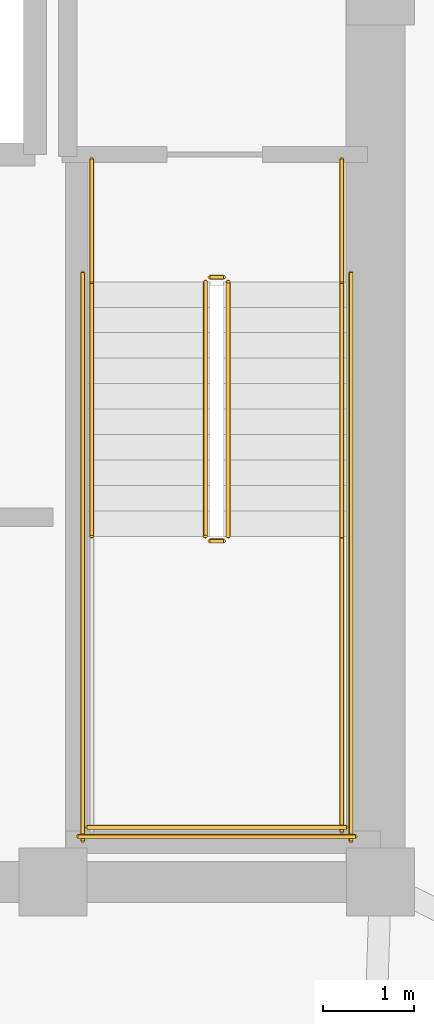
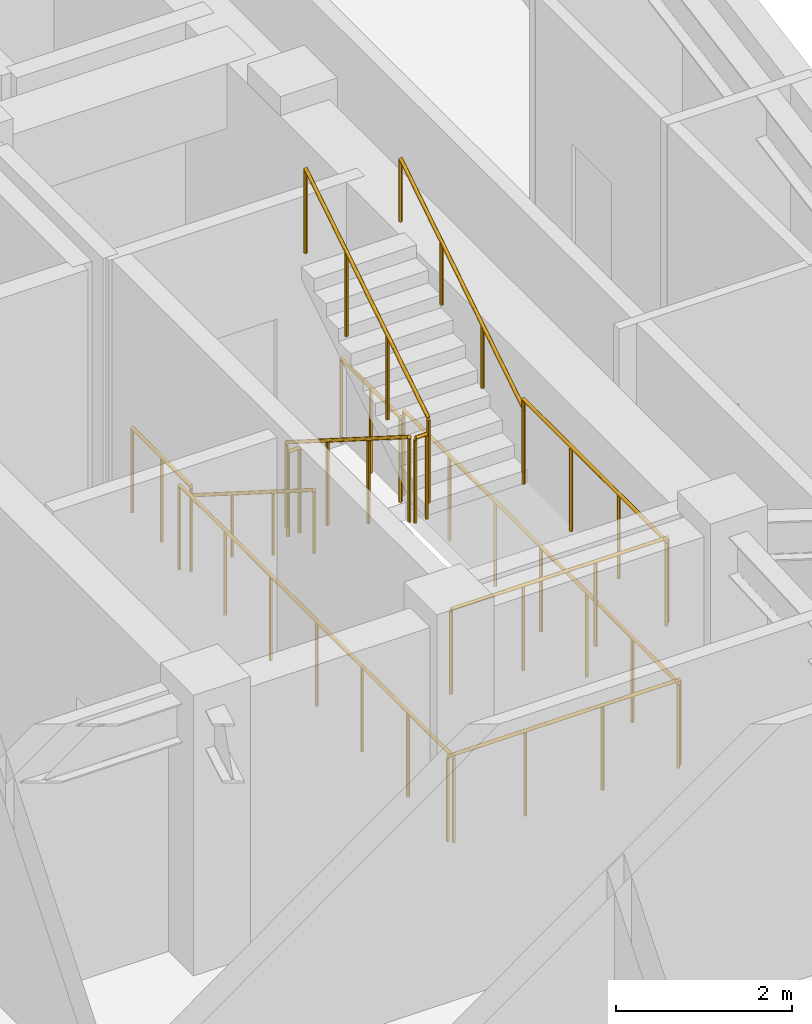
# One storey, part 11 of 11: 13 railings.
"""IFC4 building model written with IfcOpenShell, lengths in metres."""

from ifc_helpers import new_model, si_unit, direction, frame, origin, origin_2d, place, context, subcontext, project, spatial, circle, extrude, material, type_object, element, save


model = new_model("IFC4")

# Units and contexts
model_context = context("Model", 3, precision=1e-05, world=origin(), true_north=direction((0.0, 1.0)))
body_context = subcontext(model_context, "Body", "Model", "MODEL_VIEW")
ifc_project = project(units=[si_unit("LENGTHUNIT", "METRE"), si_unit("AREAUNIT", "SQUARE_METRE"), si_unit("VOLUMEUNIT", "CUBIC_METRE"), si_unit("PLANEANGLEUNIT", "RADIAN"), si_unit("MASSUNIT", "GRAM", prefix="KILO")], contexts=[model_context])

# Site, building, storey
site_placement = place(None, origin())
site = spatial("IfcSite", under=ifc_project, at=site_placement, CompositionType="ELEMENT")
building_placement = place(site_placement, origin())
building = spatial("IfcBuilding", under=site, at=building_placement, Name="Voryun Gate Residences", CompositionType="ELEMENT")
storey_placement = place(building_placement, frame((0.0, 0.0, 287.300048828125)))
storey = spatial("IfcBuildingStorey", under=building, at=storey_placement, Name="L71", CompositionType="ELEMENT", Elevation=287.300048828125)

# Railings
ifc_material_1 = material(Name="Painted steel", Category="steel")
railing_type_1 = type_object("IfcRailingType", Name="RAIL_STAIR_GUARD_1200", PredefinedType="GUARDRAIL", material=ifc_material_1)
railing_1_placement = place(storey_placement, frame((17.27490234375, -0.800048828125, 0.17724609375)))
element("IfcRailing", 1, at=railing_1_placement, inside=storey, type_object=railing_type_1, Name="L71 ST-E1 stair guard 1", PredefinedType="GUARDRAIL", context=body_context, shape_type="SweptSolid", body=[
    extrude(circle(Radius=0.02392578125, at=origin_2d()), frame((0.0, 0.0, 1.17578125), z_axis=(0.0, -0.844908973607, 0.534910110503), x_axis=(1.0, 0.0, 0.0)), (0.0, 0.0, 1.0), 3.31396484375),
    extrude(circle(Radius=0.02099609375, at=origin_2d()), origin(), (0.0, 0.0, 1.0), 1.15185546875),
    extrude(circle(Radius=0.02099609375, at=origin_2d()), frame((0.0, -0.933349609375, 0.5908203125)), (0.0, 0.0, 1.0), 1.15185546875),
    extrude(circle(Radius=0.02099609375, at=origin_2d()), frame((0.0, -1.86669921875, 1.181884765625)), (0.0, 0.0, 1.0), 1.15185546875),
    extrude(circle(Radius=0.02099609375, at=origin_2d()), frame((0.0, -2.800048828125, 1.772705078125)), (0.0, 0.0, 1.0), 1.15185546875),
])
railing_2_placement = place(storey_placement, frame((17.324951171875, -3.64990234375, 1.949951171875)))
element("IfcRailing", 2, at=railing_2_placement, inside=storey, type_object=railing_type_1, Name="L71 ST-E1 stair guard 2", PredefinedType="GUARDRAIL", context=body_context, shape_type="SweptSolid", body=[
    extrude(circle(Radius=0.02392578125, at=origin_2d()), frame((0.0, 0.0, 1.17578125), z_axis=(1.0, 0.0, 0.0), x_axis=(0.0, 1.0, 0.0)), (0.0, 0.0, 1.0), 0.150146484375),
    extrude(circle(Radius=0.02099609375, at=origin_2d()), origin(), (0.0, 0.0, 1.0), 1.15185546875),
    extrude(circle(Radius=0.02099609375, at=origin_2d()), frame((0.150146484375, 0.0, 0.0)), (0.0, 0.0, 1.0), 1.15185546875),
])
railing_3_placement = place(storey_placement, frame((18.77490234375, -3.60009765625, 1.949951171875)))
element("IfcRailing", 3, at=railing_3_placement, inside=storey, type_object=railing_type_1, Name="L71 ST-E1 stair guard 4", PredefinedType="GUARDRAIL", context=body_context, shape_type="SweptSolid", body=[
    extrude(circle(Radius=0.02392578125, at=origin_2d()), frame((0.0, 0.0, 1.17578125), z_axis=(0.0, -1.0, 0.0), x_axis=(1.0, 0.0, 0.0)), (0.0, 0.0, 1.0), 3.25),
    extrude(circle(Radius=0.02099609375, at=origin_2d()), origin(), (0.0, 0.0, 1.0), 1.15185546875),
    extrude(circle(Radius=0.02099609375, at=origin_2d()), frame((0.0, -1.083251953125, 0.0)), (0.0, 0.0, 1.0), 1.15185546875),
    extrude(circle(Radius=0.02099609375, at=origin_2d()), frame((0.0, -2.166748046875, 0.0)), (0.0, 0.0, 1.0), 1.15185546875),
    extrude(circle(Radius=0.02099609375, at=origin_2d()), frame((0.0, -3.25, 0.0)), (0.0, 0.0, 1.0), 1.15185546875),
])
railing_4_placement = place(storey_placement, frame((15.97509765625, -6.800048828125, 1.949951171875)))
element("IfcRailing", 4, at=railing_4_placement, inside=storey, type_object=railing_type_1, Name="L71 ST-E1 stair guard 5", PredefinedType="GUARDRAIL", context=body_context, shape_type="SweptSolid", body=[
    extrude(circle(Radius=0.02392578125, at=origin_2d()), frame((0.0, 0.0, 1.17578125), z_axis=(1.0, 0.0, 0.0), x_axis=(0.0, 1.0, 0.0)), (0.0, 0.0, 1.0), 2.849853515625),
    extrude(circle(Radius=0.02099609375, at=origin_2d()), origin(), (0.0, 0.0, 1.0), 1.15185546875),
    extrude(circle(Radius=0.02099609375, at=origin_2d()), frame((0.949951171875, 0.0, 0.0)), (0.0, 0.0, 1.0), 1.15185546875),
    extrude(circle(Radius=0.02099609375, at=origin_2d()), frame((1.89990234375, 0.0, 0.0)), (0.0, 0.0, 1.0), 1.15185546875),
    extrude(circle(Radius=0.02099609375, at=origin_2d()), frame((2.849853515625, 0.0, 0.0)), (0.0, 0.0, 1.0), 1.15185546875),
])
railing_5_placement = place(storey_placement, frame((17.52490234375, -3.60009765625, 2.127197265625)))
element("IfcRailing", 5, at=railing_5_placement, inside=storey, type_object=railing_type_1, Name="L71 ST-E1 stair guard 6", PredefinedType="GUARDRAIL", context=body_context, shape_type="SweptSolid", body=[
    extrude(circle(Radius=0.02392578125, at=origin_2d()), frame((0.0, 0.0, 1.17578125), z_axis=(0.0, 0.844908973607, 0.534910110503), x_axis=(-1.0, 0.0, 0.0)), (0.0, 0.0, 1.0), 3.31396484375),
    extrude(circle(Radius=0.02099609375, at=origin_2d()), origin(), (0.0, 0.0, 1.0), 1.15185546875),
    extrude(circle(Radius=0.02099609375, at=origin_2d()), frame((0.0, 0.933349609375, 0.5908203125)), (0.0, 0.0, 1.0), 1.15185546875),
    extrude(circle(Radius=0.02099609375, at=origin_2d()), frame((0.0, 1.86669921875, 1.181884765625)), (0.0, 0.0, 1.0), 1.15185546875),
    extrude(circle(Radius=0.02099609375, at=origin_2d()), frame((0.0, 2.800048828125, 1.772705078125)), (0.0, 0.0, 1.0), 1.15185546875),
])
railing_6_placement = place(storey_placement, frame((17.324951171875, -0.75, 0.0)))
element("IfcRailing", 6, at=railing_6_placement, inside=storey, type_object=railing_type_1, Name="L71 ST-E1 stair guard 7", PredefinedType="GUARDRAIL", context=body_context, shape_type="SweptSolid", body=[
    extrude(circle(Radius=0.02392578125, at=origin_2d()), frame((0.0, 0.0, 1.17578125), z_axis=(1.0, 0.0, 0.0), x_axis=(0.0, 1.0, 0.0)), (0.0, 0.0, 1.0), 0.150146484375),
    extrude(circle(Radius=0.02099609375, at=origin_2d()), origin(), (0.0, 0.0, 1.0), 1.15185546875),
    extrude(circle(Radius=0.02099609375, at=origin_2d()), frame((0.150146484375, 0.0, 0.0)), (0.0, 0.0, 1.0), 1.15185546875),
])
for number, where, name in (
    (7, (16.02490234375, 0.550048828125, 0.0), "L71 ST-E1 stair guard 8"),
    (8, (18.77490234375, 0.550048828125, 0.0), "L71 ST-E1 stair guard 9"),
):
    element("IfcRailing", number, at=place(storey_placement, frame(where)), inside=storey, type_object=railing_type_1, Name=name, PredefinedType="GUARDRAIL", context=body_context, shape_type="SweptSolid", body=[
        extrude(circle(Radius=0.02392578125, at=origin_2d()), frame((0.0, 0.0, 1.17578125), z_axis=(0.0, -1.0, 0.0), x_axis=(1.0, 0.0, 0.0)), (0.0, 0.0, 1.0), 1.35009765625),
        extrude(circle(Radius=0.02099609375, at=origin_2d()), origin(), (0.0, 0.0, 1.0), 1.15185546875),
        extrude(circle(Radius=0.02099609375, at=origin_2d()), frame((0.0, -0.675048828125, 0.0)), (0.0, 0.0, 1.0), 1.15185546875),
        extrude(circle(Radius=0.02099609375, at=origin_2d()), frame((0.0, -1.35009765625, 0.0)), (0.0, 0.0, 1.0), 1.15185546875),
    ])
for number, where, name in (
    (9, (15.925048828125, -0.699951171875, 0.0), "L71 ST-E1 stair guard 10"),
    (10, (18.875, -0.699951171875, 0.0), "L71 ST-E1 stair guard 11"),
):
    element("IfcRailing", number, at=place(storey_placement, frame(where)), inside=storey, type_object=railing_type_1, Name=name, PredefinedType="GUARDRAIL", context=body_context, shape_type="SweptSolid", body=[
        extrude(circle(Radius=0.02392578125, at=origin_2d()), frame((0.0, 0.0, 1.17578125), z_axis=(0.0, -1.0, 0.0), x_axis=(1.0, 0.0, 0.0)), (0.0, 0.0, 1.0), 6.25),
        extrude(circle(Radius=0.02099609375, at=origin_2d()), origin(), (0.0, 0.0, 1.0), 1.15185546875),
        extrude(circle(Radius=0.02099609375, at=origin_2d()), frame((0.0, -1.041748046875, 0.0)), (0.0, 0.0, 1.0), 1.15185546875),
        extrude(circle(Radius=0.02099609375, at=origin_2d()), frame((0.0, -2.083251953125, 0.0)), (0.0, 0.0, 1.0), 1.15185546875),
        extrude(circle(Radius=0.02099609375, at=origin_2d()), frame((0.0, -3.125, 0.0)), (0.0, 0.0, 1.0), 1.15185546875),
        extrude(circle(Radius=0.02099609375, at=origin_2d()), frame((0.0, -4.166748046875, 0.0)), (0.0, 0.0, 1.0), 1.15185546875),
        extrude(circle(Radius=0.02099609375, at=origin_2d()), frame((0.0, -5.208251953125, 0.0)), (0.0, 0.0, 1.0), 1.15185546875),
        extrude(circle(Radius=0.02099609375, at=origin_2d()), frame((0.0, -6.25, 0.0)), (0.0, 0.0, 1.0), 1.15185546875),
    ])
railing_7_placement = place(storey_placement, frame((15.875, -6.89990234375, 0.0)))
element("IfcRailing", 11, at=railing_7_placement, inside=storey, type_object=railing_type_1, Name="L71 ST-E1 stair guard 12", PredefinedType="GUARDRAIL", context=body_context, shape_type="SweptSolid", body=[
    extrude(circle(Radius=0.02392578125, at=origin_2d()), frame((0.0, 0.0, 1.17578125), z_axis=(1.0, 0.0, 0.0), x_axis=(0.0, 1.0, 0.0)), (0.0, 0.0, 1.0), 3.050048828125),
    extrude(circle(Radius=0.02099609375, at=origin_2d()), origin(), (0.0, 0.0, 1.0), 1.15185546875),
    extrude(circle(Radius=0.02099609375, at=origin_2d()), frame((1.0166015625, 0.0, 0.0)), (0.0, 0.0, 1.0), 1.15185546875),
    extrude(circle(Radius=0.02099609375, at=origin_2d()), frame((2.033447265625, 0.0, 0.0)), (0.0, 0.0, 1.0), 1.15185546875),
    extrude(circle(Radius=0.02099609375, at=origin_2d()), frame((3.050048828125, 0.0, 0.0)), (0.0, 0.0, 1.0), 1.15185546875),
])
ifc_material_2 = material(Name="Painted steel", Category="steel")
railing_type_2 = type_object("IfcRailingType", Name="RAIL_STAIR_HANDRAIL_900", PredefinedType="HANDRAIL", material=ifc_material_2)
railing_8_placement = place(storey_placement, frame((16.02490234375, -0.800048828125, 0.17724609375)))
element("IfcRailing", 12, at=railing_8_placement, inside=storey, type_object=railing_type_2, Name="L71 ST-E1 stair handrail 1", PredefinedType="HANDRAIL", context=body_context, shape_type="SweptSolid", body=[
    extrude(circle(Radius=0.02392578125, at=origin_2d()), frame((0.0, 0.0, 0.8759765625), z_axis=(0.0, -0.844908973607, 0.534910110503), x_axis=(1.0, 0.0, 0.0)), (0.0, 0.0, 1.0), 3.31396484375),
    extrude(circle(Radius=0.02099609375, at=origin_2d()), origin(), (0.0, 0.0, 1.0), 0.851806640625),
    extrude(circle(Radius=0.02099609375, at=origin_2d()), frame((0.0, -0.933349609375, 0.5908203125)), (0.0, 0.0, 1.0), 0.851806640625),
    extrude(circle(Radius=0.02099609375, at=origin_2d()), frame((0.0, -1.86669921875, 1.181884765625)), (0.0, 0.0, 1.0), 0.851806640625),
    extrude(circle(Radius=0.02099609375, at=origin_2d()), frame((0.0, -2.800048828125, 1.772705078125)), (0.0, 0.0, 1.0), 0.851806640625),
])
railing_9_placement = place(storey_placement, frame((18.77490234375, -3.60009765625, 2.127197265625)))
element("IfcRailing", 13, at=railing_9_placement, inside=storey, type_object=railing_type_2, Name="L71 ST-E1 stair handrail 2", PredefinedType="HANDRAIL", context=body_context, shape_type="SweptSolid", body=[
    extrude(circle(Radius=0.02392578125, at=origin_2d()), frame((0.0, 0.0, 0.8759765625), z_axis=(0.0, 0.844908973607, 0.534910110503), x_axis=(-1.0, 0.0, 0.0)), (0.0, 0.0, 1.0), 3.31396484375),
    extrude(circle(Radius=0.02099609375, at=origin_2d()), origin(), (0.0, 0.0, 1.0), 0.851806640625),
    extrude(circle(Radius=0.02099609375, at=origin_2d()), frame((0.0, 0.933349609375, 0.5908203125)), (0.0, 0.0, 1.0), 0.851806640625),
    extrude(circle(Radius=0.02099609375, at=origin_2d()), frame((0.0, 1.86669921875, 1.181884765625)), (0.0, 0.0, 1.0), 0.851806640625),
    extrude(circle(Radius=0.02099609375, at=origin_2d()), frame((0.0, 2.800048828125, 1.772705078125)), (0.0, 0.0, 1.0), 0.851806640625),
])

save(model, "model.ifc")
